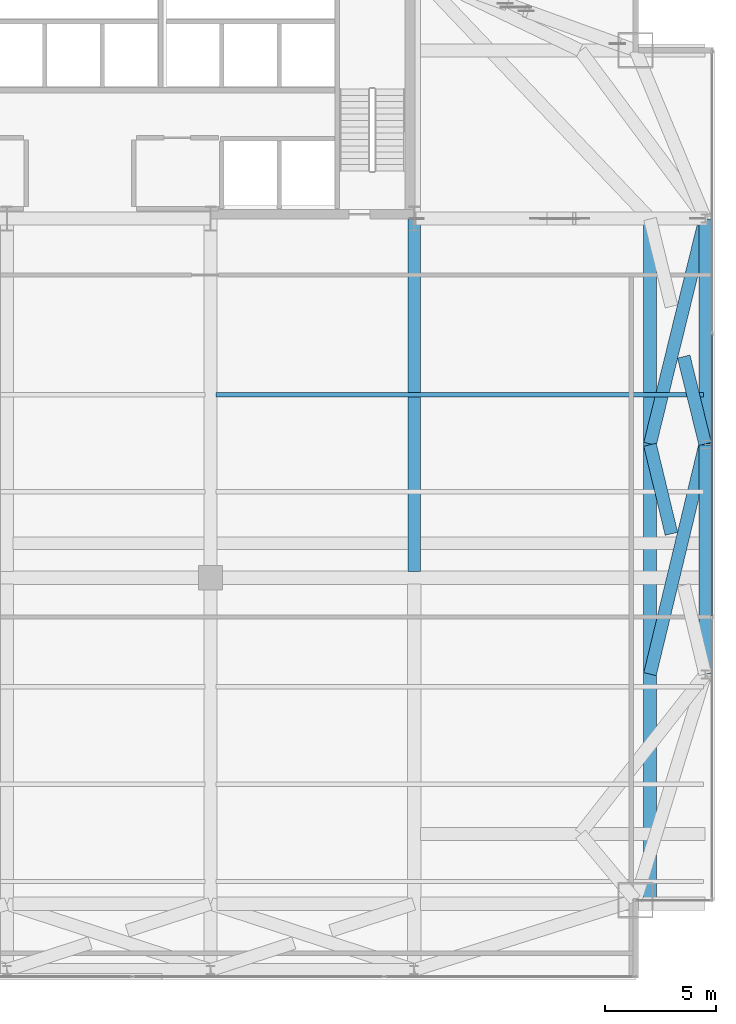
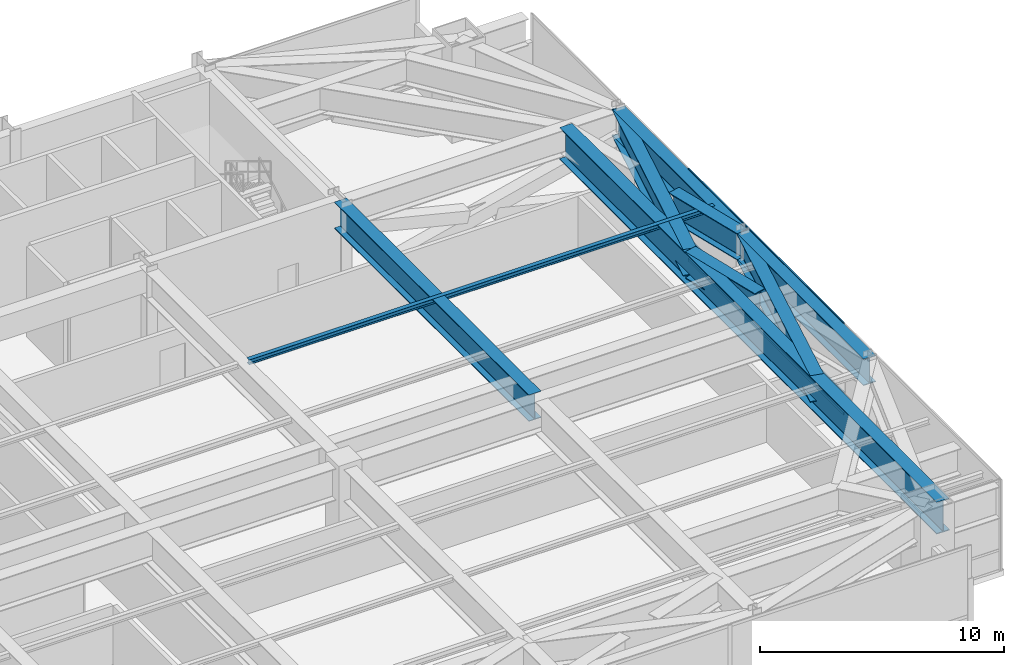
# One storey, part 19 of 30: 9 beams, 3 members, 1 element without a shape of its own.
"""IFC4 building model written with IfcOpenShell, lengths in metres."""

from ifc_helpers import new_model, si_unit, direction, frame, origin, origin_2d, place, context, subcontext, project, spatial, hollow_rectangle, i_section, extrude, source, transform, mapped, material, layer, layer_set, material_profile, profile_set, type_object, type_shapes, element, aggregate, save


model = new_model("IFC4")

# Units and contexts
model_context = context("Model", 3, precision=1e-05, world=origin(), true_north=direction((0.0, 1.0)))
body_context = subcontext(model_context, "Body", "Model", "MODEL_VIEW")
ifc_project = project(units=[si_unit("LENGTHUNIT", "METRE"), si_unit("AREAUNIT", "SQUARE_METRE"), si_unit("VOLUMEUNIT", "CUBIC_METRE"), si_unit("PLANEANGLEUNIT", "RADIAN"), si_unit("MASSUNIT", "GRAM", prefix="KILO")], contexts=[model_context])

# Site, building, storey
site_placement = place(None, origin())
site = spatial("IfcSite", under=ifc_project, at=site_placement, CompositionType="ELEMENT")
building_placement = place(site_placement, origin())
building = spatial("IfcBuilding", under=site, at=building_placement, Name="Varnel Quay Broadcast Tower", CompositionType="ELEMENT")
storey_placement = place(building_placement, frame((0.0, 0.0, 82.199951171875)))
storey = spatial("IfcBuildingStorey", under=building, at=storey_placement, Name="L19", CompositionType="ELEMENT", Elevation=82.199951171875)

# Beams
ifc_material_1 = material(Name="Structural Steel CSA G40.21 350WT", Category="steel")
ifc_material_profile_1 = material_profile(ifc_material_1, i_section(OverallWidth=0.580078125, OverallDepth=1.330078125, WebThickness=0.02197265625, FlangeThickness=0.0380859375, FilletRadius=0.02001953125, at=origin_2d()), Name="WWF1330X535")
ifc_profile_set_1 = profile_set([ifc_material_profile_1], Name="Structural Steel CSA G40.21 350WT")
beam_type_1 = type_object("IfcBeamType", Name="Girder_WWF1330X535", PredefinedType="BEAM", material=ifc_profile_set_1)
shared_shape_1 = source(origin(), body_context, "Body", "SweptSolid", [
    extrude(i_section(OverallWidth=0.580078125, OverallDepth=1.330078125, WebThickness=0.02197265625, FlangeThickness=0.0380859375, FilletRadius=0.02001953125, at=origin_2d()), origin(), (0.0, 0.0, 1.0), 10.35986328125),
])
beam_1_placement = place(storey_placement, frame((65.550048828125, 15.02001953125, 3.885009765625), z_axis=(0.0, 1.0, 0.0), x_axis=(-1.0, 0.0, 0.0)))
element("IfcBeam", 1, at=beam_1_placement, inside=storey, type_object=beam_type_1, Name="L19 East Transfer Spine TC-E1-TC-E2", PredefinedType="BEAM", context=body_context, shape_type="MappedRepresentation", body=[
    mapped(shared_shape_1, transform((0.0, 0.0, 0.0), x_axis=(1.0, 0.0, 0.0), y_axis=(0.0, 1.0, 0.0), z_axis=(0.0, 0.0, 1.0), scale=1.0)),
])
shared_shape_2 = source(origin(), body_context, "Body", "SweptSolid", [
    extrude(i_section(OverallWidth=0.580078125, OverallDepth=1.330078125, WebThickness=0.02197265625, FlangeThickness=0.0380859375, FilletRadius=0.02001953125, at=origin_2d()), origin(), (0.0, 0.0, 1.0), 10.16015625),
])
beam_2_placement = place(storey_placement, frame((65.550048828125, 25.419921875, 3.885009765625), z_axis=(0.0, 1.0, 0.0), x_axis=(-1.0, 0.0, 0.0)))
element("IfcBeam", 2, at=beam_2_placement, inside=storey, type_object=beam_type_1, Name="L19 East Transfer Spine TC-E2-TC-E3", PredefinedType="BEAM", context=body_context, shape_type="MappedRepresentation", body=[
    mapped(shared_shape_2, transform((0.0, 0.0, 0.0), x_axis=(1.0, 0.0, 0.0), y_axis=(0.0, 1.0, 0.0), z_axis=(0.0, 0.0, 1.0), scale=1.0)),
])
shared_shape_3 = source(origin(), body_context, "Body", "SweptSolid", [
    extrude(i_section(OverallWidth=0.580078125, OverallDepth=1.330078125, WebThickness=0.02197265625, FlangeThickness=0.0380859375, FilletRadius=0.02001953125, at=origin_2d()), origin(), (0.0, 0.0, 1.0), 15.925048828125),
])
beam_3_placement = place(storey_placement, frame((52.39990234375, 19.655029296875, 3.885009765625), z_axis=(0.0, 1.0, 0.0), x_axis=(-1.0, 0.0, 0.0)))
element("IfcBeam", 3, at=beam_3_placement, inside=storey, type_object=beam_type_1, Name="L19 N-S Transfer Girder 5B", PredefinedType="BEAM", context=body_context, shape_type="MappedRepresentation", body=[
    mapped(shared_shape_3, transform((0.0, 0.0, 0.0), x_axis=(1.0, 0.0, 0.0), y_axis=(0.0, 1.0, 0.0), z_axis=(0.0, 0.0, 1.0), scale=1.0)),
])
ifc_material_profile_2 = material_profile(ifc_material_1, i_section(OverallWidth=0.60009765625, OverallDepth=1.60009765625, WebThickness=0.02392578125, FlangeThickness=0.0419921875, FilletRadius=0.02197265625, at=origin_2d()), Name="WWF1600X620")
ifc_profile_set_2 = profile_set([ifc_material_profile_2], Name="Structural Steel CSA G40.21 350WT")
beam_type_2 = type_object("IfcBeamType", Name="Girder_WWF1600X620", PredefinedType="BEAM", material=ifc_profile_set_2)
shared_shape_4 = source(origin(), body_context, "Body", "SweptSolid", [
    extrude(i_section(OverallWidth=0.60009765625, OverallDepth=1.60009765625, WebThickness=0.02392578125, FlangeThickness=0.0419921875, FilletRadius=0.02197265625, at=origin_2d()), origin(), (0.0, 0.0, 1.0), 30.91015625),
])
type_shapes(beam_type_2, [shared_shape_4])
beam_4_placement = place(storey_placement, frame((63.050048828125, 4.669921875, 3.75), z_axis=(0.0, 1.0, 0.0), x_axis=(-1.0, 0.0, 0.0)))
element("IfcBeam", 4, at=beam_4_placement, inside=storey, type_object=beam_type_2, Name="L19 Setback East Transfer Header", PredefinedType="BEAM", context=body_context, shape_type="MappedRepresentation", body=[
    mapped(shared_shape_4, transform((0.0, 0.0, 0.0), x_axis=(1.0, 0.0, 0.0), y_axis=(0.0, 1.0, 0.0), z_axis=(0.0, 0.0, 1.0), scale=1.0)),
])
shared_shape_5 = source(origin(), body_context, "Body", "SweptSolid", [
    extrude(i_section(OverallWidth=0.580078125, OverallDepth=1.330078125, WebThickness=0.02197265625, FlangeThickness=0.0380859375, FilletRadius=0.02001953125, at=origin_2d()), origin(), (0.0, 0.0, 1.0), 10.656494140625),
])
beam_5_placement = place(storey_placement, frame((65.54541015625, 25.380615234375, 3.885009765625), z_axis=(-0.233728198443, -0.972301974313, 0.0), x_axis=(0.972301974313, -0.233728198443, 0.0)))
element("IfcBeam", 5, at=beam_5_placement, inside=storey, type_object=beam_type_1, Name="L19 X-Braced Transfer Tie TC-E1-TC-E2", PredefinedType="BEAM", context=body_context, shape_type="MappedRepresentation", body=[
    mapped(shared_shape_5, transform((0.0, 0.0, 0.0), x_axis=(1.0, 0.0, 0.0), y_axis=(0.0, 1.0, 0.0), z_axis=(0.0, 0.0, 1.0), scale=1.0)),
])
shared_shape_6 = source(origin(), body_context, "Body", "SweptSolid", [
    extrude(i_section(OverallWidth=0.580078125, OverallDepth=1.330078125, WebThickness=0.02197265625, FlangeThickness=0.0380859375, FilletRadius=0.02001953125, at=origin_2d()), origin(), (0.0, 0.0, 1.0), 10.4619140625),
])
beam_6_placement = place(storey_placement, frame((65.545166015625, 35.58056640625, 3.885009765625), z_axis=(-0.238052489607, -0.971252290701, 0.0), x_axis=(0.971252290701, -0.238052489607, 0.0)))
element("IfcBeam", 6, at=beam_6_placement, inside=storey, type_object=beam_type_1, Name="L19 X-Braced Transfer Tie TC-E2-TC-E3", PredefinedType="BEAM", context=body_context, shape_type="MappedRepresentation", body=[
    mapped(shared_shape_6, transform((0.0, 0.0, 0.0), x_axis=(1.0, 0.0, 0.0), y_axis=(0.0, 1.0, 0.0), z_axis=(0.0, 0.0, 1.0), scale=1.0)),
])
shared_shape_7 = source(origin(), body_context, "Body", "SweptSolid", [
    extrude(i_section(OverallWidth=0.580078125, OverallDepth=1.330078125, WebThickness=0.02197265625, FlangeThickness=0.0380859375, FilletRadius=0.02001953125, at=origin_2d()), origin(), (0.0, 0.0, 1.0), 4.137451171875),
])
beam_7_placement = place(storey_placement, frame((64.021728515625, 21.357666015625, 3.885009765625), z_axis=(-0.233723314168, 0.972303148413, 0.0), x_axis=(-0.972303148413, -0.233723314168, 0.0)))
element("IfcBeam", 7, at=beam_7_placement, inside=storey, type_object=beam_type_1, Name="L19 X-Braced Transfer Tie TC-E2-TC-E1 Part 2", PredefinedType="BEAM", context=body_context, shape_type="MappedRepresentation", body=[
    mapped(shared_shape_7, transform((0.0, 0.0, 0.0), x_axis=(1.0, 0.0, 0.0), y_axis=(0.0, 1.0, 0.0), z_axis=(0.0, 0.0, 1.0), scale=1.0)),
])
shared_shape_8 = source(origin(), body_context, "Body", "SweptSolid", [
    extrude(i_section(OverallWidth=0.580078125, OverallDepth=1.330078125, WebThickness=0.02197265625, FlangeThickness=0.0380859375, FilletRadius=0.02001953125, at=origin_2d()), origin(), (0.0, 0.0, 1.0), 4.06298828125),
])
type_shapes(beam_type_1, [shared_shape_1, shared_shape_2, shared_shape_3, shared_shape_5, shared_shape_6, shared_shape_7, shared_shape_8])
beam_8_placement = place(storey_placement, frame((65.545166015625, 25.41943359375, 3.885009765625), z_axis=(-0.238065394909, 0.97124912754, 0.0), x_axis=(-0.97124912754, -0.238065394909, 0.0)))
element("IfcBeam", 8, at=beam_8_placement, inside=storey, type_object=beam_type_1, Name="L19 X-Braced Transfer Tie TC-E3-TC-E2 Part 1", PredefinedType="BEAM", context=body_context, shape_type="MappedRepresentation", body=[
    mapped(shared_shape_8, transform((0.0, 0.0, 0.0), x_axis=(1.0, 0.0, 0.0), y_axis=(0.0, 1.0, 0.0), z_axis=(0.0, 0.0, 1.0), scale=1.0)),
])
ifc_material_2 = material(Name="Structural Steel CSA G40.21 350W", Category="steel")
ifc_material_profile_3 = material_profile(ifc_material_2, i_section(OverallWidth=0.201904296875, OverallDepth=0.2470703125, WebThickness=0.00732421875, FlangeThickness=0.010986328125, FilletRadius=0.010986328125, at=origin_2d()), Name="W250X49")
ifc_profile_set_3 = profile_set([ifc_material_profile_3], Name="Structural Steel CSA G40.21 350W")
beam_type_3 = type_object("IfcBeamType", Name="Beam_W250X49", PredefinedType="JOIST", material=ifc_profile_set_3)
shared_shape_9 = source(origin(), body_context, "Body", "SweptSolid", [
    extrude(i_section(OverallWidth=0.201904296875, OverallDepth=0.2470703125, WebThickness=0.00732421875, FlangeThickness=0.010986328125, FilletRadius=0.010986328125, at=origin_2d()), origin(), (0.0, 0.0, 1.0), 22.01953125),
])
type_shapes(beam_type_3, [shared_shape_9])
beam_9_placement = place(storey_placement, frame((43.445068359375, 27.64990234375, 4.426513671875), z_axis=(1.0, 0.0, 0.0), x_axis=(0.0, 1.0, 0.0)))
element("IfcBeam", 9, at=beam_9_placement, inside=storey, type_object=beam_type_3, Name="L19 East Floor Joist 6", PredefinedType="JOIST", context=body_context, shape_type="MappedRepresentation", body=[
    mapped(shared_shape_9, transform((0.0, 0.0, 0.0), x_axis=(1.0, 0.0, 0.0), y_axis=(0.0, 1.0, 0.0), z_axis=(0.0, 0.0, 1.0), scale=1.0)),
])

# Curtain wall, members
ifc_material_3 = material(Name="Anodised Bronze Aluminium 6063-T6", Category="aluminium")
ifc_layer = layer(ifc_material_3, 0.18994140625, Name="Anodised Bronze Aluminium 6063-T6")
ifc_layer_set = layer_set([ifc_layer], Name="Anodised Bronze Aluminium 6063-T6")
curtain_wall_type = type_object("IfcCurtainWallType", Name="CW_LowerTower", PredefinedType="NOTDEFINED", material=ifc_layer_set)
curtain_wall_placement = place(storey_placement, origin())
curtain_wall = element("IfcCurtainWall", 10, at=curtain_wall_placement, inside=storey, type_object=curtain_wall_type, Name="L19 East Unitised Curtain Wall", PredefinedType="NOTDEFINED")
ifc_material_profile_4 = material_profile(ifc_material_3, hollow_rectangle(XDim=0.06005859375, YDim=0.14501953125, WallThickness=0.00341796875, at=origin_2d()), Name="ALU60X145X3.5")
ifc_profile_set_4 = profile_set([ifc_material_profile_4], Name="Anodised Bronze Aluminium 6063-T6")
member_type = type_object("IfcMemberType", Name="Tran_CWS-02", PredefinedType="USERDEFINED", material=ifc_profile_set_4)
shared_shape_10 = source(origin(), body_context, "Body", "SweptSolid", [
    extrude(hollow_rectangle(XDim=0.06005859375, YDim=0.14501953125, WallThickness=0.00341796875, at=origin_2d()), origin(), (0.0, 0.0, 1.0), 12.72998046875),
])
type_shapes(member_type, [shared_shape_10])
member_1_placement = place(storey_placement, frame((65.85009765625, 17.635009765625, 0.030029296875), z_axis=(0.0, 1.0, 0.0), x_axis=(-1.0, 0.0, 0.0)))
member_1 = element("IfcMember", 11, at=member_1_placement, type_object=member_type, Name="CWS-02 transom 2.1", ObjectType="TRANSOM", PredefinedType="USERDEFINED", context=body_context, shape_type="MappedRepresentation", body=[
    mapped(shared_shape_10, transform((0.0, 0.0, 0.0), x_axis=(1.0, 0.0, 0.0), y_axis=(0.0, 1.0, 0.0), z_axis=(0.0, 0.0, 1.0), scale=1.0)),
])
member_2_placement = place(storey_placement, frame((65.85009765625, 17.635009765625, 1.050048828125), z_axis=(0.0, 1.0, 0.0), x_axis=(-1.0, 0.0, 0.0)))
member_2 = element("IfcMember", 12, at=member_2_placement, type_object=member_type, Name="CWS-02 transom 2.2", ObjectType="TRANSOM", PredefinedType="USERDEFINED", context=body_context, shape_type="MappedRepresentation", body=[
    mapped(shared_shape_10, transform((0.0, 0.0, 0.0), x_axis=(1.0, 0.0, 0.0), y_axis=(0.0, 1.0, 0.0), z_axis=(0.0, 0.0, 1.0), scale=1.0)),
])
member_3_placement = place(storey_placement, frame((65.85009765625, 17.635009765625, 4.52001953125), z_axis=(0.0, 1.0, 0.0), x_axis=(-1.0, 0.0, 0.0)))
member_3 = element("IfcMember", 13, at=member_3_placement, type_object=member_type, Name="CWS-02 transom 2.3", ObjectType="TRANSOM", PredefinedType="USERDEFINED", context=body_context, shape_type="MappedRepresentation", body=[
    mapped(shared_shape_10, transform((0.0, 0.0, 0.0), x_axis=(1.0, 0.0, 0.0), y_axis=(0.0, 1.0, 0.0), z_axis=(0.0, 0.0, 1.0), scale=1.0)),
])
aggregate(curtain_wall, [member_1, member_2, member_3])

save(model, "model.ifc")
